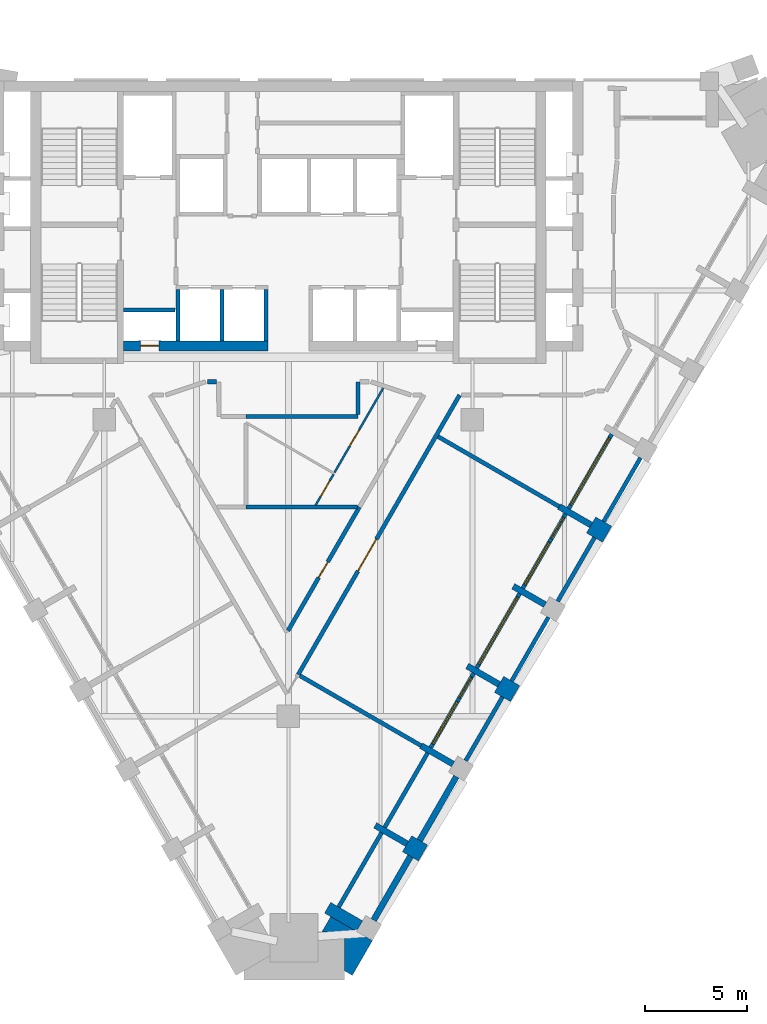
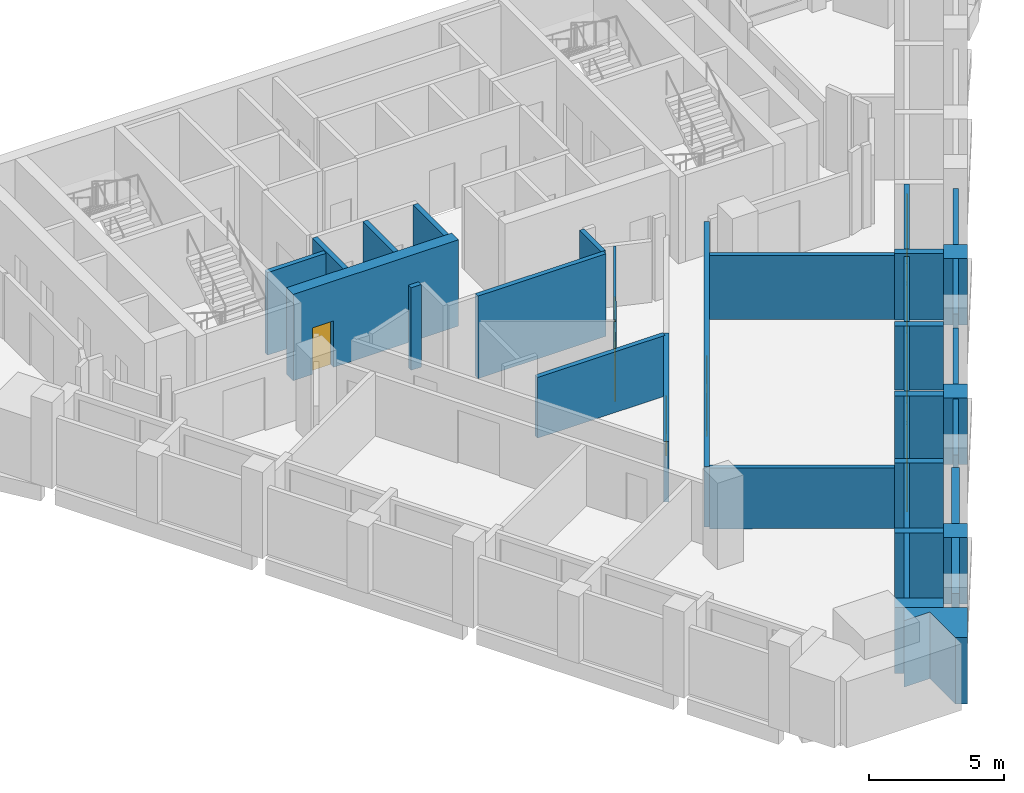
# One storey, part 4 of 9: 37 walls, 7 doors, 4 windows, 11 openings.
"""IFC4 building model written with IfcOpenShell, lengths in metres."""

from ifc_helpers import new_model, si_unit, direction, frame, frame_2d, origin, place, context, subcontext, project, spatial, polyline, rectangle, outline, extrude, material, layer, layer_set, type_object, element, fill, save


model = new_model("IFC4")

# Units and contexts
model_context = context("Model", 3, precision=1e-05, world=origin(), true_north=direction((0.0, 1.0)))
body_context = subcontext(model_context, "Body", "Model", "MODEL_VIEW")
ifc_project = project(units=[si_unit("LENGTHUNIT", "METRE"), si_unit("AREAUNIT", "SQUARE_METRE"), si_unit("VOLUMEUNIT", "CUBIC_METRE"), si_unit("PLANEANGLEUNIT", "RADIAN"), si_unit("MASSUNIT", "GRAM", prefix="KILO")], contexts=[model_context])

# Site, building, storey
site_placement = place(None, origin())
site = spatial("IfcSite", under=ifc_project, at=site_placement, CompositionType="ELEMENT")
building_placement = place(site_placement, origin())
building = spatial("IfcBuilding", under=site, at=building_placement, Name="Calabash Gate Tower", CompositionType="ELEMENT")
storey_placement = place(building_placement, frame((0.0, 0.0, 231.5)))
storey = spatial("IfcBuildingStorey", under=building, at=storey_placement, Name="L55", CompositionType="ELEMENT", Elevation=231.5)

# Walls
ifc_material_1 = material(Name="Terracotta brick masonry, exposed face", Category="masonry")
ifc_layer_1 = layer(ifc_material_1, 2.35009765625)
ifc_layer_set_1 = layer_set([ifc_layer_1], Name="Brick corner mass wall 2350")
wall_type_1 = type_object("IfcWallType", Name="Brick corner mass wall 2350", PredefinedType="SOLIDWALL", material=ifc_layer_set_1)
wall_1_placement = place(storey_placement, origin())
element("IfcWall", 1, at=wall_1_placement, inside=storey, type_object=wall_type_1, Name="Brick corner pier S16 2c", PredefinedType="SOLIDWALL", context=body_context, shape_type="SweptSolid", body=[
    extrude(outline(polyline([(4.11083984375, -22.9794921875), (2.07568359375, -21.804443359375), (1.6435546875, -22.552978515625), (2.740478515625, -22.552978515625), (2.740478515625, -24.452880859375), (3.130126953125, -24.677978515625), (4.11083984375, -22.9794921875)])), origin(), (0.0, 0.0, 1.0), 3.0),
])
ifc_material_2 = material(Name="Terracotta brick masonry, exposed face", Category="masonry")
ifc_layer_2 = layer(ifc_material_2, 0.89990234375)
ifc_layer_set_2 = layer_set([ifc_layer_2], Name="Brick end wall 900")
wall_type_2 = type_object("IfcWallType", Name="Brick end wall 900", PredefinedType="SOLIDWALL", material=ifc_layer_set_2)
for number, where, z_axis, x_axis, name in (
    (2, (5.970947265625, -18.857421875, 0.0), (0.0, 0.0, 1.0), (0.499902469156, 0.866081705922, 0.0), "Brick pier S16 SE2.1"),
    (3, (10.9208984375, -10.28369140625, 0.0), (0.0, 0.0, 1.0), (-0.499902469156, -0.866081705922, 0.0), "Brick pier S16 SE2.3"),
):
    element("IfcWall", number, at=place(storey_placement, frame(where, z_axis=z_axis, x_axis=x_axis)), inside=storey, type_object=wall_type_2, Name=name, PredefinedType="SOLIDWALL", context=body_context, shape_type="SweptSolid", body=[
        extrude(rectangle(XDim=0.900146484375, YDim=0.89990234375, at=frame_2d((0.4501953125, 0.0))), origin(), (0.0, 0.0, 1.0), 3.0),
    ])
wall_2_placement = place(storey_placement, frame((15.585693359375, -3.104248046875, 0.0), z_axis=(0.0, 0.0, 1.0), x_axis=(-0.866013897511, 0.50001992892, 0.0)))
element("IfcWall", 4, at=wall_2_placement, inside=storey, type_object=wall_type_2, Name="Brick pier S16 SE2.5", PredefinedType="SOLIDWALL", context=body_context, shape_type="SweptSolid", body=[
    extrude(rectangle(XDim=0.89990234375, YDim=0.89990234375, at=frame_2d((0.449951171875, 0.0))), origin(), (0.0, 0.0, 1.0), 3.0),
])
ifc_material_3 = material(Name="Terracotta brick masonry, exposed face", Category="masonry")
ifc_layer_3 = layer(ifc_material_3, 0.300048828125)
ifc_layer_set_3 = layer_set([ifc_layer_3], Name="Brick infill panel wall 300")
wall_type_3 = type_object("IfcWallType", Name="Brick infill panel wall 300", PredefinedType="SOLIDWALL", material=ifc_layer_set_3)
wall_3_placement = place(storey_placement, frame((4.171875, -21.9736328125, 0.0), z_axis=(0.0, 0.0, 1.0), x_axis=(0.499984792966, 0.866034183392, 0.0)))
element("IfcWall", 5, at=wall_3_placement, inside=storey, type_object=wall_type_3, Name="Brick panel S16 SE2.1", PredefinedType="SOLIDWALL", context=body_context, shape_type="SweptSolid", body=[
    extrude(rectangle(XDim=3.59814453125, YDim=0.300048828125, at=frame_2d((1.799072265625, 0.0))), origin(), (0.0, 0.0, 1.0), 3.0),
])
wall_4_placement = place(storey_placement, frame((8.220703125, -14.960693359375, 0.0), z_axis=(0.0, 0.0, 1.0), x_axis=(-0.50001992892, -0.866013897511, 0.0)))
element("IfcWall", 6, at=wall_4_placement, inside=storey, type_object=wall_type_3, Name="Brick panel S16 SE2.2", PredefinedType="SOLIDWALL", context=body_context, shape_type="SweptSolid", body=[
    extrude(rectangle(XDim=3.599365234375, YDim=0.300048828125, at=frame_2d((1.7998046875, 0.0))), origin(), (0.0, 0.0, 1.0), 3.0),
])
ifc_material_4 = material(Name="Terracotta brick masonry, exposed face", Category="masonry")
ifc_layer_4 = layer(ifc_material_4, 0.300048828125)
ifc_layer_set_4 = layer_set([ifc_layer_4], Name="Brick loggia cheek wall 300")
wall_type_4 = type_object("IfcWallType", Name="Brick loggia cheek wall 300", PredefinedType="SOLIDWALL", material=ifc_layer_set_4)
wall_5_placement = place(storey_placement, frame((3.481201171875, -22.269775390625, 0.0), z_axis=(0.0, 0.0, 1.0), x_axis=(-0.865989075817, 0.500062916607, 0.0)))
element("IfcWall", 7, at=wall_5_placement, inside=storey, type_object=wall_type_4, Name="Loggia cheek S16 SE2.0", PredefinedType="SOLIDWALL", context=body_context, shape_type="SweptSolid", body=[
    extrude(rectangle(XDim=1.800048828125, YDim=0.60009765625, at=frame_2d((0.89990234375, 0.0))), origin(), (0.0, 0.0, 1.0), 3.0),
])
for number, where, z_axis, x_axis, name in (
    (8, (4.24755859375, -17.3427734375, 0.0), (0.0, 0.0, 1.0), (0.866047807691, -0.499961193289, 0.0), "Loggia cheek S16 SE2.1"),
    (9, (8.056396484375, -14.345458984375, 0.0), (0.0, 0.0, 1.0), (-0.866047807691, 0.499961193289, 0.0), "Loggia cheek S16 SE2.2"),
):
    element("IfcWall", number, at=place(storey_placement, frame(where, z_axis=z_axis, x_axis=x_axis)), inside=storey, type_object=wall_type_4, Name=name, PredefinedType="SOLIDWALL", context=body_context, shape_type="SweptSolid", body=[
        extrude(rectangle(XDim=1.800048828125, YDim=0.300048828125, at=frame_2d((0.89990234375, 0.0))), origin(), (0.0, 0.0, 1.0), 3.0),
    ])
wall_6_placement = place(storey_placement, frame((8.74755859375, -9.54833984375, 0.0), z_axis=(0.0, 0.0, 1.0), x_axis=(0.865989075817, -0.500062916607, 0.0)))
element("IfcWall", 10, at=wall_6_placement, inside=storey, type_object=wall_type_4, Name="Loggia cheek S16 SE2.3", PredefinedType="SOLIDWALL", context=body_context, shape_type="SweptSolid", body=[
    extrude(rectangle(XDim=1.800048828125, YDim=0.300048828125, at=frame_2d((0.89990234375, 0.0))), origin(), (0.0, 0.0, 1.0), 2.884033203125),
])
wall_7_placement = place(storey_placement, frame((12.55615234375, -6.55126953125, 0.0), z_axis=(0.0, 0.0, 1.0), x_axis=(-0.866013897511, 0.50001992892, 0.0)))
element("IfcWall", 11, at=wall_7_placement, inside=storey, type_object=wall_type_4, Name="Loggia cheek S16 SE2.4", PredefinedType="SOLIDWALL", context=body_context, shape_type="SweptSolid", body=[
    extrude(rectangle(XDim=1.7998046875, YDim=0.300048828125, at=frame_2d((0.89990234375, 0.0))), origin(), (0.0, 0.0, 1.0), 2.884033203125),
])
wall_8_placement = place(storey_placement, frame((13.24755859375, -1.754150390625, 0.0), z_axis=(0.0, 0.0, 1.0), x_axis=(0.865989075817, -0.500062916607, 0.0)))
element("IfcWall", 12, at=wall_8_placement, inside=storey, type_object=wall_type_4, Name="Loggia cheek S16 SE2.5", PredefinedType="SOLIDWALL", context=body_context, shape_type="SweptSolid", body=[
    extrude(rectangle(XDim=1.800048828125, YDim=0.300048828125, at=frame_2d((0.89990234375, 0.0))), origin(), (0.0, 0.0, 1.0), 3.0),
])

# Wall, opening, door
ifc_material_5 = material(Name="Concrete C70/85", Category="concrete")
ifc_layer_5 = layer(ifc_material_5, 0.5)
ifc_layer_set_5 = layer_set([ifc_layer_5], Name="Core wall 500 Concrete C70/85")
wall_type_5 = type_object("IfcWallType", Name="Core wall 500 Concrete C70/85", PredefinedType="SHEAR", material=ifc_layer_set_5)
wall_9_placement = place(storey_placement, frame((-8.050048828125, 6.1025390625, 0.0), z_axis=(0.0, 0.0, 1.0), x_axis=(1.0, 0.0, 0.0)))
wall_9 = element("IfcWall", 13, at=wall_9_placement, inside=storey, type_object=wall_type_5, Name="Core wall Z4-SA L55", PredefinedType="SHEAR", context=body_context, shape_type="SweptSolid", body=[
    extrude(rectangle(XDim=7.050048828125, YDim=0.5, at=frame_2d((3.52490234375, 0.0))), origin(), (0.0, 0.0, 1.0), 3.89990234375),
])
opening_1_placement = place(wall_9_placement, frame((0.824951171875, 0.0, 0.0)))
opening_1 = element("IfcOpeningElement", 14, at=opening_1_placement, cuts=wall_9, Name="Opening O8-016", PredefinedType="OPENING", context=body_context, shape_type="SweptSolid", body=[
    extrude(rectangle(XDim=0.89990234375, YDim=2.10009765625, at=frame_2d((0.449951171875, 1.050048828125))), frame((0.0, 0.260009765625, 0.0), z_axis=(0.0, -1.0, 0.0), x_axis=(1.0, 0.0, 0.0)), (0.0, 0.0, 1.0), 0.52001953125),
])
ifc_material_6 = material(Name="Steel fire door set with fire-resisting glazing", Category="steel")
door_type_1 = type_object("IfcDoorType", Name="Fire door D07 900x2100 FD90", OperationType="NOTDEFINED", PredefinedType="DOOR", material=ifc_material_6)
door_1_placement = place(opening_1_placement, origin())
door_1 = element("IfcDoor", 15, at=door_1_placement, inside=storey, type_object=door_type_1, Name="Electrical Riser W door", OperationType="SINGLE_SWING_LEFT", OverallHeight=2.10009765625, OverallWidth=0.89990234375, PredefinedType="DOOR", context=body_context, shape_type="SweptSolid", body=[
    extrude(rectangle(XDim=0.89990234375, YDim=2.10009765625, at=frame_2d((0.449951171875, 1.050048828125))), frame((0.0, 0.02490234375, 0.0), z_axis=(0.0, -1.0, 0.0), x_axis=(1.0, 0.0, 0.0)), (0.0, 0.0, 1.0), 0.050048828125),
])
fill(opening_1, door_1)

ifc_material_7 = material(Name="Gypsum board on steel studs, mineral wool", Category="steel")
ifc_layer_6 = layer(ifc_material_7, 0.10009765625)
ifc_layer_set_6 = layer_set([ifc_layer_6], Name="Partition 100 gypsum board")
wall_type_6 = type_object("IfcWallType", Name="Partition 100 gypsum board", PredefinedType="PARTITIONING", material=ifc_layer_set_6)
wall_10_placement = place(storey_placement, frame((1.330810546875, -1.691162109375, 0.0), z_axis=(0.0, 0.0, 1.0), x_axis=(0.500723196883, 0.865607463059, 0.0)))
wall_10 = element("IfcWall", 16, at=wall_10_placement, inside=storey, type_object=wall_type_6, Name="Partition", PredefinedType="PARTITIONING", context=body_context, shape_type="SweptSolid", body=[
    extrude(rectangle(XDim=1.75244140625, YDim=0.10009765625, at=frame_2d((0.876220703125, 0.0))), origin(), (0.0, 0.0, 1.0), 2.74169921875),
])
opening_2_placement = place(wall_10_placement, frame((0.501708984375, 0.0, 0.0)))
opening_2 = element("IfcOpeningElement", 17, at=opening_2_placement, cuts=wall_10, Name="Opening 55-57-013", PredefinedType="OPENING", context=body_context, shape_type="SweptSolid", body=[
    extrude(rectangle(XDim=0.89990234375, YDim=2.10009765625, at=frame_2d((0.449951171875, 1.050048828125))), frame((0.0, 0.06005859375, 0.0), z_axis=(0.0, -1.0, 0.0), x_axis=(1.0, 0.0, 0.0)), (0.0, 0.0, 1.0), 0.1201171875),
])
ifc_material_8 = material(Name="Painted timber door", Category="wood")
door_type_2 = type_object("IfcDoorType", Name="WD1 WC door 900x2100", OperationType="NOTDEFINED", PredefinedType="DOOR", material=ifc_material_8)
door_2_placement = place(opening_2_placement, origin())
door_2 = element("IfcDoor", 18, at=door_2_placement, inside=storey, type_object=door_type_2, Name="WC door", OperationType="SINGLE_SWING_RIGHT", OverallHeight=2.10009765625, OverallWidth=0.89990234375, PredefinedType="DOOR", context=body_context, shape_type="SweptSolid", body=[
    extrude(rectangle(XDim=0.89990234375, YDim=2.10009765625, at=frame_2d((0.449951171875, 1.050048828125))), frame((0.0, 0.02490234375, 0.0), z_axis=(0.0, -1.0, 0.0), x_axis=(1.0, 0.0, 0.0)), (0.0, 0.0, 1.0), 0.050048828125),
])
fill(opening_2, door_2)

wall_11_placement = place(storey_placement, frame((2.25830078125, -0.08740234375, 0.0), z_axis=(0.0, 0.0, 1.0), x_axis=(0.499684056676, 0.866207736922, 0.0)))
wall_11 = element("IfcWall", 19, at=wall_11_placement, inside=storey, type_object=wall_type_6, Name="Partition", PredefinedType="PARTITIONING", context=body_context, shape_type="SweptSolid", body=[
    extrude(rectangle(XDim=4.7705078125, YDim=0.10009765625, at=frame_2d((2.38525390625, 0.0))), origin(), (0.0, 0.0, 1.0), 2.74169921875),
])
opening_3_placement = place(wall_11_placement, frame((1.5126953125, 0.0, 0.0)))
opening_3 = element("IfcOpeningElement", 20, at=opening_3_placement, cuts=wall_11, Name="Opening 55-57-014", PredefinedType="OPENING", context=body_context, shape_type="SweptSolid", body=[
    extrude(rectangle(XDim=0.89990234375, YDim=2.10009765625, at=frame_2d((0.449951171875, 1.050048828125))), frame((0.0, 0.06005859375, 0.0), z_axis=(0.0, -1.0, 0.0), x_axis=(1.0, 0.0, 0.0)), (0.0, 0.0, 1.0), 0.1201171875),
])
door_3_placement = place(opening_3_placement, origin())
door_3 = element("IfcDoor", 21, at=door_3_placement, inside=storey, type_object=door_type_2, Name="WC door", OperationType="SINGLE_SWING_LEFT", OverallHeight=2.10009765625, OverallWidth=0.89990234375, PredefinedType="DOOR", context=body_context, shape_type="SweptSolid", body=[
    extrude(rectangle(XDim=0.89990234375, YDim=2.10009765625, at=frame_2d((0.449951171875, 1.050048828125))), frame((0.0, 0.02490234375, 0.0), z_axis=(0.0, -1.0, 0.0), x_axis=(1.0, 0.0, 0.0)), (0.0, 0.0, 1.0), 0.050048828125),
])
fill(opening_3, door_3)

# Wall
ifc_material_9 = material(Name="Gypsum board on steel studs, mineral wool", Category="steel")
ifc_layer_7 = layer(ifc_material_9, 0.199951171875)
ifc_layer_set_7 = layer_set([ifc_layer_7], Name="Partition 200 gypsum board EI 60")
wall_type_7 = type_object("IfcWallType", Name="Partition 200 gypsum board EI 60", PredefinedType="PARTITIONING", material=ifc_layer_set_7)
wall_12_placement = place(storey_placement, frame((0.564697265625, -10.0224609375, 0.0), z_axis=(0.0, 0.0, 1.0), x_axis=(0.866127427728, -0.499823247696, 0.0)))
element("IfcWall", 22, at=wall_12_placement, inside=storey, type_object=wall_type_7, Name="Partition", PredefinedType="PARTITIONING", context=body_context, shape_type="SweptSolid", body=[
    extrude(rectangle(XDim=6.849609375, YDim=0.199951171875, at=frame_2d((3.4248046875, 0.0))), origin(), (0.0, 0.0, 1.0), 2.74169921875),
])

# Wall, opening, door
wall_13_placement = place(storey_placement, frame((-0.0126953125, -7.821044921875, 0.0), z_axis=(0.0, 0.0, 1.0), x_axis=(0.499774962009, 0.866155290551, 0.0)))
wall_13 = element("IfcWall", 23, at=wall_13_placement, inside=storey, type_object=wall_type_7, Name="Partition", PredefinedType="PARTITIONING", context=body_context, shape_type="SweptSolid", body=[
    extrude(rectangle(XDim=6.976806640625, YDim=0.199951171875, at=frame_2d((3.48828125, 0.0))), origin(), (0.0, 0.0, 1.0), 2.74169921875),
])
opening_4_placement = place(wall_13_placement, frame((2.989013671875, 0.0, 0.0)))
opening_4 = element("IfcOpeningElement", 24, at=opening_4_placement, cuts=wall_13, Name="Opening 55-57-005", PredefinedType="OPENING", context=body_context, shape_type="SweptSolid", body=[
    extrude(rectangle(XDim=0.89990234375, YDim=2.10009765625, at=frame_2d((0.449951171875, 1.050048828125))), frame((0.0, 0.10986328125, 0.0), z_axis=(0.0, -1.0, 0.0), x_axis=(1.0, 0.0, 0.0)), (0.0, 0.0, 1.0), 0.219970703125),
])
ifc_material_10 = material(Name="Steel fire door set with fire-resisting glazing", Category="steel")
door_type_3 = type_object("IfcDoorType", Name="SD3 Store door 900x2100", OperationType="NOTDEFINED", PredefinedType="DOOR", material=ifc_material_10)
door_4_placement = place(opening_4_placement, origin())
door_4 = element("IfcDoor", 25, at=door_4_placement, inside=storey, type_object=door_type_3, Name="Store door", OperationType="SINGLE_SWING_LEFT", OverallHeight=2.10009765625, OverallWidth=0.89990234375, PredefinedType="DOOR", context=body_context, shape_type="SweptSolid", body=[
    extrude(rectangle(XDim=0.89990234375, YDim=2.10009765625, at=frame_2d((0.449951171875, 1.050048828125))), frame((0.0, 0.02490234375, 0.0), z_axis=(0.0, -1.0, 0.0), x_axis=(1.0, 0.0, 0.0)), (0.0, 0.0, 1.0), 0.050048828125),
])
fill(opening_4, door_4)

# Walls
wall_14_placement = place(storey_placement, frame((-2.0712890625, -1.77587890625, 0.0), z_axis=(0.0, 0.0, 1.0), x_axis=(1.0, 0.0, 0.0)))
element("IfcWall", 26, at=wall_14_placement, inside=storey, type_object=wall_type_7, Name="Partition", PredefinedType="PARTITIONING", context=body_context, shape_type="SweptSolid", body=[
    extrude(rectangle(XDim=5.44775390625, YDim=0.199951171875, at=frame_2d((2.723876953125, 0.0))), origin(), (0.0, 0.0, 1.0), 2.74169921875),
])
wall_15_placement = place(storey_placement, frame((7.31591796875, 1.6708984375, 0.0), z_axis=(0.0, 0.0, 1.0), x_axis=(0.866023543838, -0.500003221507, 0.0)))
element("IfcWall", 27, at=wall_15_placement, inside=storey, type_object=wall_type_7, Name="Partition", PredefinedType="PARTITIONING", context=body_context, shape_type="SweptSolid", body=[
    extrude(rectangle(XDim=6.849609375, YDim=0.199951171875, at=frame_2d((3.4248046875, 0.0))), origin(), (0.0, 0.0, 1.0), 2.884033203125),
])
wall_16_placement = place(storey_placement, frame((-2.0712890625, 2.650634765625, 0.0), z_axis=(0.0, 0.0, 1.0), x_axis=(0.99999995122, 0.0003123466, 0.0)))
element("IfcWall", 28, at=wall_16_placement, inside=storey, type_object=wall_type_7, Name="Partition", PredefinedType="PARTITIONING", context=body_context, shape_type="SweptSolid", body=[
    extrude(rectangle(XDim=5.471435546875, YDim=0.199951171875, at=frame_2d((2.73583984375, 0.0))), origin(), (0.0, 0.0, 1.0), 3.72998046875),
])

# Wall, opening, door
wall_17_placement = place(storey_placement, frame((0.480224609375, -9.9716796875, 0.0), z_axis=(0.0, 0.0, 1.0), x_axis=(0.499998248741, 0.866026414872, 0.0)))
wall_17 = element("IfcWall", 29, at=wall_17_placement, inside=storey, type_object=wall_type_7, Name="Partition", PredefinedType="PARTITIONING", context=body_context, shape_type="SweptSolid", body=[
    extrude(rectangle(XDim=15.78515625, YDim=0.199951171875, at=frame_2d((7.892578125, 0.0))), origin(), (0.0, 0.0, 1.0), 2.74169921875),
])
opening_5_placement = place(wall_17_placement, frame((5.85009765625, 0.0, 0.0)))
opening_5 = element("IfcOpeningElement", 30, at=opening_5_placement, cuts=wall_17, Name="Opening 55-57-003", PredefinedType="OPENING", context=body_context, shape_type="SweptSolid", body=[
    extrude(rectangle(XDim=1.800048828125, YDim=2.39990234375, at=frame_2d((0.89990234375, 1.199951171875))), frame((0.0, 0.10986328125, 0.0), z_axis=(0.0, -1.0, 0.0), x_axis=(1.0, 0.0, 0.0)), (0.0, 0.0, 1.0), 0.219970703125),
])
ifc_material_11 = material(Name="Steel fire door set with fire-resisting glazing", Category="steel")
door_type_4 = type_object("IfcDoorType", Name="OD5 Open office double door 1800x2400", OperationType="NOTDEFINED", PredefinedType="DOOR", material=ifc_material_11)
door_5_placement = place(opening_5_placement, origin())
door_5 = element("IfcDoor", 31, at=door_5_placement, inside=storey, type_object=door_type_4, Name="Open office double door", OperationType="DOUBLE_DOOR_SINGLE_SWING", OverallHeight=2.39990234375, OverallWidth=1.800048828125, PredefinedType="DOOR", context=body_context, shape_type="SweptSolid", body=[
    extrude(rectangle(XDim=1.800048828125, YDim=2.39990234375, at=frame_2d((0.89990234375, 1.199951171875))), frame((0.0, 0.02490234375, 0.0), z_axis=(0.0, -1.0, 0.0), x_axis=(1.0, 0.0, 0.0)), (0.0, 0.0, 1.0), 0.050048828125),
])
fill(opening_5, door_5)

# Walls
wall_18_placement = place(storey_placement, frame((-3.9423828125, 4.35205078125, 0.0), z_axis=(0.0, 0.0, 1.0), x_axis=(0.999996159087, -0.00277160798, 0.0)))
element("IfcWall", 32, at=wall_18_placement, inside=storey, type_object=wall_type_7, Name="Partition", PredefinedType="PARTITIONING", context=body_context, shape_type="SweptSolid", body=[
    extrude(rectangle(XDim=0.4404296875, YDim=0.199951171875, at=frame_2d((0.22021484375, 0.0))), origin(), (0.0, 0.0, 1.0), 3.72998046875),
])
wall_19_placement = place(storey_placement, frame((3.400146484375, 2.75244140625, 0.0), z_axis=(0.0, 0.0, 1.0), x_axis=(0.001222119466, 0.999999253212, 0.0)))
element("IfcWall", 33, at=wall_19_placement, inside=storey, type_object=wall_type_7, Name="Partition", PredefinedType="PARTITIONING", context=body_context, shape_type="SweptSolid", body=[
    extrude(rectangle(XDim=1.59814453125, YDim=0.199951171875, at=frame_2d((0.799072265625, 0.0))), origin(), (0.0, 0.0, 1.0), 3.72998046875),
])
ifc_material_12 = material(Name="Concrete C40/50", Category="concrete")
ifc_layer_8 = layer(ifc_material_12, 0.199951171875)
ifc_layer_set_8 = layer_set([ifc_layer_8], Name="Shaft wall 200 Concrete C40/50")
wall_type_8 = type_object("IfcWallType", Name="Shaft wall 200 Concrete C40/50", PredefinedType="SOLIDWALL", material=ifc_layer_set_8)
for number, where, z_axis, x_axis, name in (
    (34, (-5.39990234375, 6.3525390625, 0.0), (0.0, 0.0, 1.0), (0.0, 1.0, 0.0), "Shaft wall"),
    (35, (-3.25, 6.3525390625, 0.0), (0.0, 0.0, 1.0), (0.0, 1.0, 0.0), "Shaft wall"),
    (36, (-1.10009765625, 6.3525390625, 0.0), (0.0, 0.0, 1.0), (0.0, 1.0, 0.0), "Shaft wall"),
    (37, (-8.050048828125, 7.8525390625, 0.0), (0.0, 0.0, 1.0), (1.0, 0.0, 0.0), "Shaft wall"),
):
    element("IfcWall", number, at=place(storey_placement, frame(where, z_axis=z_axis, x_axis=x_axis)), inside=storey, type_object=wall_type_8, Name=name, PredefinedType="SOLIDWALL", context=body_context, shape_type="SweptSolid", body=[
        extrude(rectangle(XDim=2.5, YDim=0.199951171875, at=frame_2d((1.25, 0.0))), origin(), (0.0, 0.0, 1.0), 3.72998046875),
    ])
ifc_material_13 = material(Name="Terracotta brick masonry, perforated", Category="masonry")
ifc_layer_9 = layer(ifc_material_13, 0.199951171875)
ifc_layer_set_9 = layer_set([ifc_layer_9], Name="Terracotta jaali screen B")
wall_type_9 = type_object("IfcWallType", Name="Terracotta jaali screen B", PredefinedType="SOLIDWALL", material=ifc_layer_set_9)
wall_20_placement = place(storey_placement, frame((8.6708984375, -14.180908203125, 0.0), z_axis=(0.0, 0.0, 1.0), x_axis=(0.500012057535, 0.866018442252, 0.0)))
element("IfcWall", 38, at=wall_20_placement, inside=storey, type_object=wall_type_9, Name="SCREEN B S16 SE2.3", PredefinedType="SOLIDWALL", context=body_context, shape_type="SweptSolid", body=[
    extrude(rectangle(XDim=3.60009765625, YDim=0.199951171875, at=frame_2d((1.800048828125, 0.0))), origin(), (0.0, 0.0, 1.0), 2.9501953125),
])
for number, where, z_axis, x_axis, name in (
    (39, (10.9208984375, -10.28369140625, 0.0), (0.0, 0.0, 1.0), (0.500012057535, 0.866018442252, 0.0), "SCREEN B S16 SE2.4"),
    (40, (13.1708984375, -6.38671875, 0.0), (0.0, 0.0, 1.0), (0.500012057535, 0.866018442252, 0.0), "SCREEN B S16 SE2.5"),
    (41, (15.4208984375, -2.489501953125, 0.0), (0.0, 0.0, 1.0), (0.500012057535, 0.866018442252, 0.0), "SCREEN B S16 SE2.6"),
):
    element("IfcWall", number, at=place(storey_placement, frame(where, z_axis=z_axis, x_axis=x_axis)), inside=storey, type_object=wall_type_9, Name=name, PredefinedType="SOLIDWALL", context=body_context, shape_type="SweptSolid", body=[
        extrude(rectangle(XDim=3.60009765625, YDim=0.199951171875, at=frame_2d((1.800048828125, 0.0))), origin(), (0.0, 0.0, 1.0), 3.0),
    ])
ifc_material_14 = material(Name="Aluminium framed window wall with insulated spandrel", Category="aluminium")
ifc_layer_10 = layer(ifc_material_14, 0.199951171875)
ifc_layer_set_10 = layer_set([ifc_layer_10], Name="Window wall 200")
wall_type_10 = type_object("IfcWallType", Name="Window wall 200", PredefinedType="ELEMENTEDWALL", material=ifc_layer_set_10)
wall_21_placement = place(storey_placement, frame((2.462158203125, -21.3349609375, 0.0), z_axis=(0.0, 0.0, 1.0), x_axis=(0.500002543286, 0.866023935413, 0.0)))
element("IfcWall", 42, at=wall_21_placement, inside=storey, type_object=wall_type_10, Name="Window wall S16 SE2.1", PredefinedType="ELEMENTEDWALL", context=body_context, shape_type="SweptSolid", body=[
    extrude(rectangle(XDim=4.2001953125, YDim=0.199951171875, at=frame_2d((2.10009765625, 0.0))), origin(), (0.0, 0.0, 1.0), 3.0),
])
wall_22_placement = place(storey_placement, frame((4.712158203125, -17.437744140625, 0.0), z_axis=(0.0, 0.0, 1.0), x_axis=(0.500027713859, 0.866009402589, 0.0)))
element("IfcWall", 43, at=wall_22_placement, inside=storey, type_object=wall_type_10, Name="Window wall S16 SE2.2", PredefinedType="ELEMENTEDWALL", context=body_context, shape_type="SweptSolid", body=[
    extrude(rectangle(XDim=4.199951171875, YDim=0.199951171875, at=frame_2d((2.10009765625, 0.0))), origin(), (0.0, 0.0, 1.0), 3.0),
])

# Wall, openings, door, window
wall_23_placement = place(storey_placement, frame((6.962158203125, -13.54052734375, 0.0), z_axis=(0.0, 0.0, 1.0), x_axis=(0.500027713859, 0.866009402589, 0.0)))
wall_23 = element("IfcWall", 44, at=wall_23_placement, inside=storey, type_object=wall_type_10, Name="Window wall S16 SE2.3", PredefinedType="ELEMENTEDWALL", context=body_context, shape_type="SweptSolid", body=[
    extrude(rectangle(XDim=4.199951171875, YDim=0.199951171875, at=frame_2d((2.10009765625, 0.0))), origin(), (0.0, 0.0, 1.0), 2.884033203125),
])
opening_6_placement = place(wall_23_placement, frame((0.199951171875, 0.0, 0.449951171875)))
opening_6 = element("IfcOpeningElement", 45, at=opening_6_placement, cuts=wall_23, Name="Opening OW1", PredefinedType="OPENING", context=body_context, shape_type="SweptSolid", body=[
    extrude(rectangle(XDim=2.39990234375, YDim=2.25, at=frame_2d((1.199951171875, 1.125))), frame((0.0, 0.10986328125, 0.0), z_axis=(0.0, -1.0, 0.0), x_axis=(1.0, 0.0, 0.0)), (0.0, 0.0, 1.0), 0.219970703125),
])
opening_7_placement = place(wall_23_placement, frame((2.800048828125, 0.0, 0.0)))
opening_7 = element("IfcOpeningElement", 46, at=opening_7_placement, cuts=wall_23, Name="Opening O8-022", PredefinedType="OPENING", context=body_context, shape_type="SweptSolid", body=[
    extrude(rectangle(XDim=1.199951171875, YDim=2.699951171875, at=frame_2d((0.60009765625, 1.35009765625))), frame((0.0, 0.10986328125, 0.0), z_axis=(0.0, -1.0, 0.0), x_axis=(1.0, 0.0, 0.0)), (0.0, 0.0, 1.0), 0.219970703125),
])
ifc_material_15 = material(Name="Anodised aluminium frame, bronze finish, impact-rated laminated clear glazing", Category="aluminium")
door_type_5 = type_object("IfcDoorType", Name="Loggia door DO1 1200x2700", OperationType="SLIDING_TO_LEFT", PredefinedType="DOOR", material=ifc_material_15)
door_6_placement = place(opening_7_placement, origin())
door_6 = element("IfcDoor", 47, at=door_6_placement, inside=storey, type_object=door_type_5, Name="Loggia door S16 SE2.3", OperationType="SINGLE_SWING_LEFT", OverallHeight=2.699951171875, OverallWidth=1.199951171875, PredefinedType="DOOR", context=body_context, shape_type="SweptSolid", body=[
    extrude(rectangle(XDim=1.199951171875, YDim=2.699951171875, at=frame_2d((0.60009765625, 1.35009765625))), frame((0.0, 0.02490234375, 0.0), z_axis=(0.0, -1.0, 0.0), x_axis=(1.0, 0.0, 0.0)), (0.0, 0.0, 1.0), 0.050048828125),
])
fill(opening_7, door_6)
ifc_material_16 = material(Name="Anodised aluminium frame, bronze finish, impact-rated laminated clear glazing", Category="aluminium")
window_type_1 = type_object("IfcWindowType", Name="Window OW1 2400x2250", PartitioningType="DOUBLE_PANEL_VERTICAL", PredefinedType="WINDOW", material=ifc_material_16)
window_1_placement = place(opening_6_placement, origin())
window_1 = element("IfcWindow", 48, at=window_1_placement, inside=storey, type_object=window_type_1, Name="Window OW1 S16 SE2.3", OverallHeight=2.25, OverallWidth=2.39990234375, PartitioningType="SINGLE_PANEL", PredefinedType="WINDOW", context=body_context, shape_type="SweptSolid", body=[
    extrude(rectangle(XDim=2.39990234375, YDim=2.25, at=frame_2d((1.199951171875, 1.125))), frame((0.0, 0.030029296875, 0.0), z_axis=(0.0, -1.0, 0.0), x_axis=(1.0, 0.0, 0.0)), (0.0, 0.0, 1.0), 0.06005859375),
])
fill(opening_6, window_1)

# Wall, opening, window
wall_24_placement = place(storey_placement, frame((9.212158203125, -9.6435546875, 0.0), z_axis=(0.0, 0.0, 1.0), x_axis=(0.500027713859, 0.866009402589, 0.0)))
wall_24 = element("IfcWall", 49, at=wall_24_placement, inside=storey, type_object=wall_type_10, Name="Window wall S16 SE2.4", PredefinedType="ELEMENTEDWALL", context=body_context, shape_type="SweptSolid", body=[
    extrude(rectangle(XDim=4.199951171875, YDim=0.199951171875, at=frame_2d((2.10009765625, 0.0))), origin(), (0.0, 0.0, 1.0), 2.884033203125),
])
opening_8_placement = place(wall_24_placement, frame((0.199951171875, 0.0, 0.449951171875)))
opening_8 = element("IfcOpeningElement", 50, at=opening_8_placement, cuts=wall_24, Name="Opening OW2", PredefinedType="OPENING", context=body_context, shape_type="SweptSolid", body=[
    extrude(rectangle(XDim=3.800048828125, YDim=2.25, at=frame_2d((1.89990234375, 1.125))), frame((0.0, 0.10986328125, 0.0), z_axis=(0.0, -1.0, 0.0), x_axis=(1.0, 0.0, 0.0)), (0.0, 0.0, 1.0), 0.219970703125),
])
ifc_material_17 = material(Name="Anodised aluminium frame, bronze finish, impact-rated laminated clear glazing", Category="aluminium")
window_type_2 = type_object("IfcWindowType", Name="Window OW2 3800x2250", PartitioningType="TRIPLE_PANEL_VERTICAL", PredefinedType="WINDOW", material=ifc_material_17)
window_2_placement = place(opening_8_placement, origin())
window_2 = element("IfcWindow", 51, at=window_2_placement, inside=storey, type_object=window_type_2, Name="Window OW2 S16 SE2.4", OverallHeight=2.25, OverallWidth=3.800048828125, PartitioningType="SINGLE_PANEL", PredefinedType="WINDOW", context=body_context, shape_type="SweptSolid", body=[
    extrude(rectangle(XDim=3.800048828125, YDim=2.25, at=frame_2d((1.89990234375, 1.125))), frame((0.0, 0.030029296875, 0.0), z_axis=(0.0, -1.0, 0.0), x_axis=(1.0, 0.0, 0.0)), (0.0, 0.0, 1.0), 0.06005859375),
])
fill(opening_8, window_2)

# Wall, openings, door, window
wall_25_placement = place(storey_placement, frame((11.462158203125, -5.746337890625, 0.0), z_axis=(0.0, 0.0, 1.0), x_axis=(0.500027713859, 0.866009402589, 0.0)))
wall_25 = element("IfcWall", 52, at=wall_25_placement, inside=storey, type_object=wall_type_10, Name="Window wall S16 SE2.5", PredefinedType="ELEMENTEDWALL", context=body_context, shape_type="SweptSolid", body=[
    extrude(rectangle(XDim=4.199951171875, YDim=0.199951171875, at=frame_2d((2.10009765625, 0.0))), origin(), (0.0, 0.0, 1.0), 2.884033203125),
])
opening_9_placement = place(wall_25_placement, frame((0.199951171875, 0.0, 0.449951171875)))
opening_9 = element("IfcOpeningElement", 53, at=opening_9_placement, cuts=wall_25, Name="Opening OW1", PredefinedType="OPENING", context=body_context, shape_type="SweptSolid", body=[
    extrude(rectangle(XDim=2.39990234375, YDim=2.25, at=frame_2d((1.199951171875, 1.125))), frame((0.0, 0.10986328125, 0.0), z_axis=(0.0, -1.0, 0.0), x_axis=(1.0, 0.0, 0.0)), (0.0, 0.0, 1.0), 0.219970703125),
])
opening_10_placement = place(wall_25_placement, frame((2.800048828125, 0.0, 0.0)))
opening_10 = element("IfcOpeningElement", 54, at=opening_10_placement, cuts=wall_25, Name="Opening O8-023", PredefinedType="OPENING", context=body_context, shape_type="SweptSolid", body=[
    extrude(rectangle(XDim=1.199951171875, YDim=2.699951171875, at=frame_2d((0.60009765625, 1.35009765625))), frame((0.0, 0.10986328125, 0.0), z_axis=(0.0, -1.0, 0.0), x_axis=(1.0, 0.0, 0.0)), (0.0, 0.0, 1.0), 0.219970703125),
])
door_7_placement = place(opening_10_placement, origin())
door_7 = element("IfcDoor", 55, at=door_7_placement, inside=storey, type_object=door_type_5, Name="Loggia door S16 SE2.5", OperationType="SINGLE_SWING_LEFT", OverallHeight=2.699951171875, OverallWidth=1.199951171875, PredefinedType="DOOR", context=body_context, shape_type="SweptSolid", body=[
    extrude(rectangle(XDim=1.199951171875, YDim=2.699951171875, at=frame_2d((0.60009765625, 1.35009765625))), frame((0.0, 0.02490234375, 0.0), z_axis=(0.0, -1.0, 0.0), x_axis=(1.0, 0.0, 0.0)), (0.0, 0.0, 1.0), 0.050048828125),
])
fill(opening_10, door_7)
window_3_placement = place(opening_9_placement, origin())
window_3 = element("IfcWindow", 56, at=window_3_placement, inside=storey, type_object=window_type_1, Name="Window OW1 S16 SE2.5", OverallHeight=2.25, OverallWidth=2.39990234375, PartitioningType="SINGLE_PANEL", PredefinedType="WINDOW", context=body_context, shape_type="SweptSolid", body=[
    extrude(rectangle(XDim=2.39990234375, YDim=2.25, at=frame_2d((1.199951171875, 1.125))), frame((0.0, 0.030029296875, 0.0), z_axis=(0.0, -1.0, 0.0), x_axis=(1.0, 0.0, 0.0)), (0.0, 0.0, 1.0), 0.06005859375),
])
fill(opening_9, window_3)

# Wall, opening, window
wall_26_placement = place(storey_placement, frame((13.712158203125, -1.849365234375, 0.0), z_axis=(0.0, 0.0, 1.0), x_axis=(0.500002543286, 0.866023935413, 0.0)))
wall_26 = element("IfcWall", 57, at=wall_26_placement, inside=storey, type_object=wall_type_10, Name="Window wall S16 SE2.6", PredefinedType="ELEMENTEDWALL", context=body_context, shape_type="SweptSolid", body=[
    extrude(rectangle(XDim=4.2001953125, YDim=0.199951171875, at=frame_2d((2.10009765625, 0.0))), origin(), (0.0, 0.0, 1.0), 3.0),
])
opening_11_placement = place(wall_26_placement, frame((0.199951171875, 0.0, 0.449951171875)))
opening_11 = element("IfcOpeningElement", 58, at=opening_11_placement, cuts=wall_26, Name="Opening OW2", PredefinedType="OPENING", context=body_context, shape_type="SweptSolid", body=[
    extrude(rectangle(XDim=3.800048828125, YDim=2.25, at=frame_2d((1.89990234375, 1.125))), frame((0.0, 0.10986328125, 0.0), z_axis=(0.0, -1.0, 0.0), x_axis=(1.0, 0.0, 0.0)), (0.0, 0.0, 1.0), 0.219970703125),
])
window_4_placement = place(opening_11_placement, origin())
window_4 = element("IfcWindow", 59, at=window_4_placement, inside=storey, type_object=window_type_2, Name="Window OW2 S16 SE2.6", OverallHeight=2.25, OverallWidth=3.800048828125, PartitioningType="SINGLE_PANEL", PredefinedType="WINDOW", context=body_context, shape_type="SweptSolid", body=[
    extrude(rectangle(XDim=3.800048828125, YDim=2.25, at=frame_2d((1.89990234375, 1.125))), frame((0.0, 0.030029296875, 0.0), z_axis=(0.0, -1.0, 0.0), x_axis=(1.0, 0.0, 0.0)), (0.0, 0.0, 1.0), 0.06005859375),
])
fill(opening_11, window_4)

save(model, "model.ifc")
